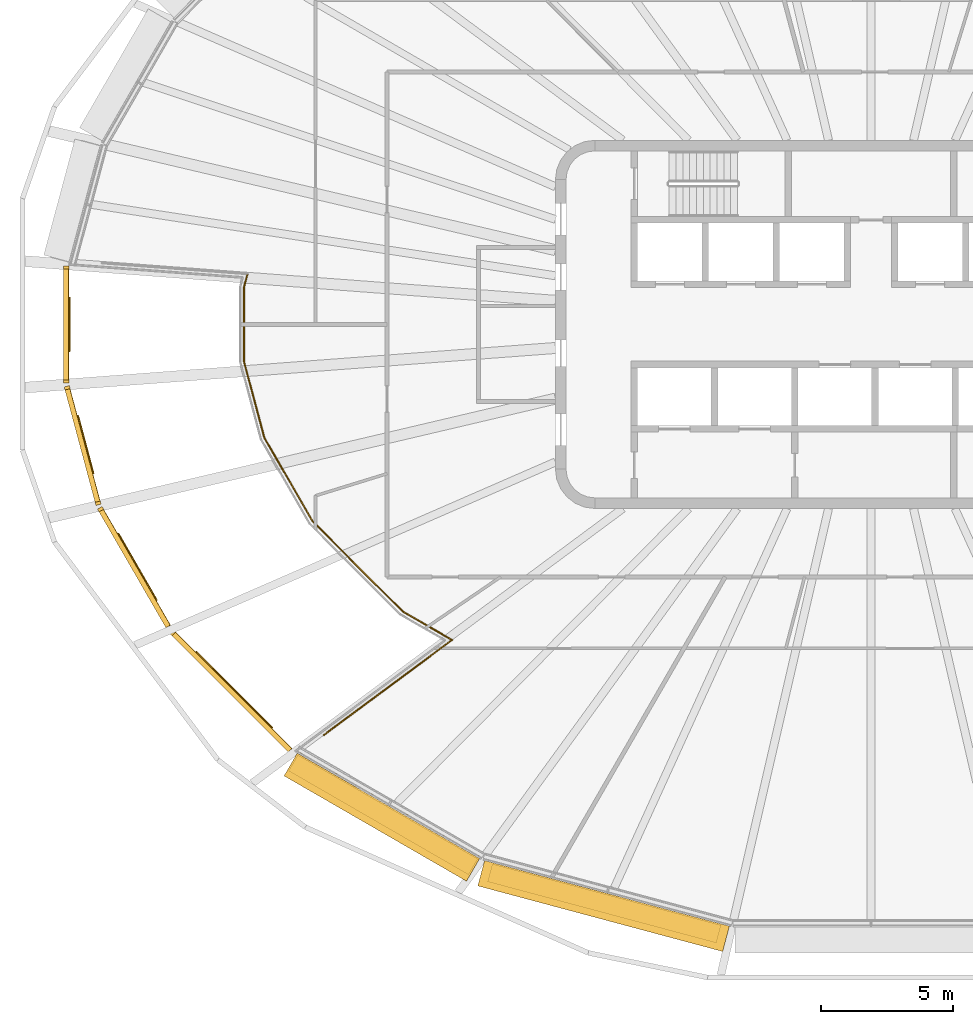
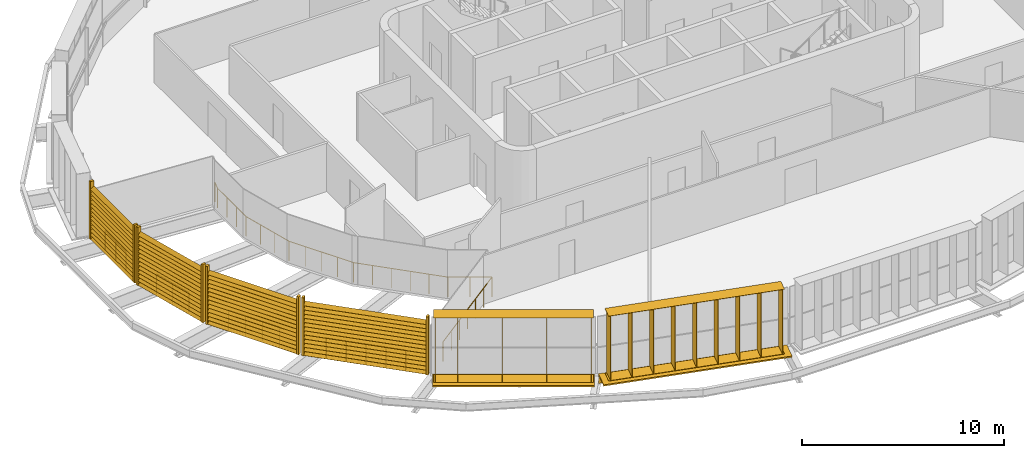
# One storey, part 15 of 19: 8 shading devices, 5 railings.
"""IFC4 building model written with IfcOpenShell, lengths in metres."""

from ifc_helpers import new_model, si_unit, direction, frame, origin, origin_2d, place, context, subcontext, project, spatial, rectangle, circle, extrude, material, type_object, element, save


model = new_model("IFC4")

# Units and contexts
model_context = context("Model", 3, precision=1e-05, world=origin(), true_north=direction((0.0, 1.0)))
body_context = subcontext(model_context, "Body", "Model", "MODEL_VIEW")
ifc_project = project(units=[si_unit("LENGTHUNIT", "METRE"), si_unit("AREAUNIT", "SQUARE_METRE"), si_unit("VOLUMEUNIT", "CUBIC_METRE"), si_unit("PLANEANGLEUNIT", "RADIAN"), si_unit("MASSUNIT", "GRAM", prefix="KILO")], contexts=[model_context])

# Site, building, storey
site_placement = place(None, origin())
site = spatial("IfcSite", under=ifc_project, at=site_placement, CompositionType="ELEMENT")
building_placement = place(site_placement, origin())
building = spatial("IfcBuilding", under=site, at=building_placement, Name="Sahrelin Media Tower", CompositionType="ELEMENT")
storey_placement = place(building_placement, frame((0.0, 0.0, 229.60009765625)))
storey = spatial("IfcBuildingStorey", under=building, at=storey_placement, Name="L49", CompositionType="ELEMENT", Elevation=229.60009765625)

# Shading devices
ifc_material_1 = material(Name="Champagne anodised aluminium 6063-T6", Category="aluminium")
shading_device_type_1 = type_object("IfcShadingDeviceType", Name="Fin cassette", PredefinedType="USERDEFINED", material=ifc_material_1)
placement_1 = place(storey_placement, frame((-18.337646484375, -18.28564453125, 0.0), z_axis=(0.0, 0.0, 1.0), x_axis=(-0.866019052629, 0.500011000363, 0.0)))
element("IfcShadingDevice", 1, at=placement_1, inside=storey, type_object=shading_device_type_1, Name="L49:FIN:L49-16", ObjectType="FIN", PredefinedType="USERDEFINED", context=body_context, shape_type="SweptSolid", body=[
    extrude(rectangle(XDim=7.89990234375, YDim=0.699951171875, at=origin_2d()), frame((0.0, 0.419921875, 0.0)), (0.0, 0.0, 1.0), 0.02001953125),
    extrude(rectangle(XDim=7.89990234375, YDim=0.699951171875, at=origin_2d()), frame((0.0, 0.419921875, 3.89990234375)), (0.0, 0.0, 1.0), 0.02001953125),
    extrude(rectangle(XDim=0.02001953125, YDim=0.699951171875, at=origin_2d()), frame((-3.85009765625, 0.419921875, 0.010009765625), z_axis=(0.0, 0.0, 1.0), x_axis=(1.0, 0.0, 0.0)), (0.0, 0.0, 1.0), 3.89990234375),
    extrude(rectangle(XDim=0.02001953125, YDim=0.699951171875, at=origin_2d()), frame((-2.75, 0.419921875, 0.010009765625), z_axis=(0.0, 0.0, 1.0), x_axis=(1.0, 0.0, 0.0)), (0.0, 0.0, 1.0), 3.89990234375),
    extrude(rectangle(XDim=0.02001953125, YDim=0.699951171875, at=origin_2d()), frame((-1.64990234375, 0.419921875, 0.010009765625), z_axis=(0.0, 0.0, 1.0), x_axis=(1.0, 0.0, 0.0)), (0.0, 0.0, 1.0), 3.89990234375),
    extrude(rectangle(XDim=0.02001953125, YDim=0.699951171875, at=origin_2d()), frame((-0.550048828125, 0.419921875, 0.010009765625), z_axis=(0.0, 0.0, 1.0), x_axis=(1.0, 0.0, 0.0)), (0.0, 0.0, 1.0), 3.89990234375),
    extrude(rectangle(XDim=0.02001953125, YDim=0.699951171875, at=origin_2d()), frame((0.550048828125, 0.419921875, 0.010009765625), z_axis=(0.0, 0.0, 1.0), x_axis=(1.0, 0.0, 0.0)), (0.0, 0.0, 1.0), 3.89990234375),
    extrude(rectangle(XDim=0.02001953125, YDim=0.699951171875, at=origin_2d()), frame((1.64990234375, 0.419921875, 0.010009765625), z_axis=(0.0, 0.0, 1.0), x_axis=(1.0, 0.0, 0.0)), (0.0, 0.0, 1.0), 3.89990234375),
    extrude(rectangle(XDim=0.02001953125, YDim=0.699951171875, at=origin_2d()), frame((2.75, 0.419921875, 0.010009765625), z_axis=(0.0, 0.0, 1.0), x_axis=(1.0, 0.0, 0.0)), (0.0, 0.0, 1.0), 3.89990234375),
    extrude(rectangle(XDim=0.02001953125, YDim=0.699951171875, at=origin_2d()), frame((3.85009765625, 0.419921875, 0.010009765625), z_axis=(0.0, 0.0, 1.0), x_axis=(1.0, 0.0, 0.0)), (0.0, 0.0, 1.0), 3.89990234375),
])
placement_2 = place(storey_placement, frame((-10.031982421875, -21.61083984375, 0.0), z_axis=(0.0, 0.0, 1.0), x_axis=(-0.965928857556, 0.258807731996, 0.0)))
element("IfcShadingDevice", 2, at=placement_2, inside=storey, type_object=shading_device_type_1, Name="L49:FIN:L49-17", ObjectType="FIN", PredefinedType="USERDEFINED", context=body_context, shape_type="SweptSolid", body=[
    extrude(rectangle(XDim=9.0, YDim=0.699951171875, at=origin_2d()), frame((0.0, 0.419921875, 0.0)), (0.0, 0.0, 1.0), 0.02001953125),
    extrude(rectangle(XDim=9.0, YDim=0.699951171875, at=origin_2d()), frame((0.0, 0.419921875, 3.89990234375)), (0.0, 0.0, 1.0), 0.02001953125),
    extrude(rectangle(XDim=0.02001953125, YDim=0.699951171875, at=origin_2d()), frame((-4.39990234375, 0.419921875, 0.010009765625), z_axis=(0.0, 0.0, 1.0), x_axis=(1.0, 0.0, 0.0)), (0.0, 0.0, 1.0), 3.89990234375),
    extrude(rectangle(XDim=0.02001953125, YDim=0.699951171875, at=origin_2d()), frame((-3.300048828125, 0.419921875, 0.010009765625), z_axis=(0.0, 0.0, 1.0), x_axis=(1.0, 0.0, 0.0)), (0.0, 0.0, 1.0), 3.89990234375),
    extrude(rectangle(XDim=0.02001953125, YDim=0.699951171875, at=origin_2d()), frame((-2.199951171875, 0.419921875, 0.010009765625), z_axis=(0.0, 0.0, 1.0), x_axis=(1.0, 0.0, 0.0)), (0.0, 0.0, 1.0), 3.89990234375),
    extrude(rectangle(XDim=0.02001953125, YDim=0.699951171875, at=origin_2d()), frame((-1.10009765625, 0.419921875, 0.010009765625), z_axis=(0.0, 0.0, 1.0), x_axis=(1.0, 0.0, 0.0)), (0.0, 0.0, 1.0), 3.89990234375),
    extrude(rectangle(XDim=0.02001953125, YDim=0.699951171875, at=origin_2d()), frame((0.0, 0.419921875, 0.010009765625), z_axis=(0.0, 0.0, 1.0), x_axis=(1.0, 0.0, 0.0)), (0.0, 0.0, 1.0), 3.89990234375),
    extrude(rectangle(XDim=0.02001953125, YDim=0.699951171875, at=origin_2d()), frame((1.10009765625, 0.419921875, 0.010009765625), z_axis=(0.0, 0.0, 1.0), x_axis=(1.0, 0.0, 0.0)), (0.0, 0.0, 1.0), 3.89990234375),
    extrude(rectangle(XDim=0.02001953125, YDim=0.699951171875, at=origin_2d()), frame((2.199951171875, 0.419921875, 0.010009765625), z_axis=(0.0, 0.0, 1.0), x_axis=(1.0, 0.0, 0.0)), (0.0, 0.0, 1.0), 3.89990234375),
    extrude(rectangle(XDim=0.02001953125, YDim=0.699951171875, at=origin_2d()), frame((3.300048828125, 0.419921875, 0.010009765625), z_axis=(0.0, 0.0, 1.0), x_axis=(1.0, 0.0, 0.0)), (0.0, 0.0, 1.0), 3.89990234375),
    extrude(rectangle(XDim=0.02001953125, YDim=0.699951171875, at=origin_2d()), frame((4.39990234375, 0.419921875, 0.010009765625), z_axis=(0.0, 0.0, 1.0), x_axis=(1.0, 0.0, 0.0)), (0.0, 0.0, 1.0), 3.89990234375),
])
shading_device_type_2 = type_object("IfcShadingDeviceType", Name="Garden screen", PredefinedType="USERDEFINED", material=ifc_material_1)
shading_device_3_placement = place(storey_placement, frame((-30.494140625, 0.0, 0.0), z_axis=(0.0, 0.0, 1.0), x_axis=(0.0, 1.0, 0.0)))
element("IfcShadingDevice", 3, at=shading_device_3_placement, inside=storey, type_object=shading_device_type_2, Name="L49:SCREEN:L49-12", ObjectType="SCREEN", PredefinedType="USERDEFINED", context=body_context, shape_type="SweptSolid", body=[
    extrude(rectangle(XDim=0.1201171875, YDim=0.199951171875, at=origin_2d()), frame((2.16796875, 0.10009765625, 0.050048828125), z_axis=(0.0, 0.0, 1.0), x_axis=(1.0, 0.0, 0.0)), (0.0, 0.0, 1.0), 3.49853515625),
    extrude(rectangle(XDim=0.1201171875, YDim=0.199951171875, at=origin_2d()), frame((-2.16796875, 0.10009765625, 0.050048828125), z_axis=(0.0, 0.0, 1.0), x_axis=(1.0, 0.0, 0.0)), (0.0, 0.0, 1.0), 3.49853515625),
    extrude(rectangle(XDim=0.25, YDim=0.02001953125, at=origin_2d()), frame((2.10791015625, 0.10009765625, 0.14990234375), z_axis=(-1.0, 0.0, 0.0), x_axis=(0.0, -0.766044443119, 0.642787609687)), (0.0, 0.0, 1.0), 4.2158203125),
    extrude(rectangle(XDim=0.25, YDim=0.02001953125, at=origin_2d()), frame((2.10791015625, 0.10009765625, 0.39990234375), z_axis=(-1.0, 0.0, 0.0), x_axis=(0.0, -0.766044443119, 0.642787609687)), (0.0, 0.0, 1.0), 4.2158203125),
    extrude(rectangle(XDim=0.25, YDim=0.02001953125, at=origin_2d()), frame((2.10791015625, 0.10009765625, 0.64990234375), z_axis=(-1.0, 0.0, 0.0), x_axis=(0.0, -0.766044443119, 0.642787609687)), (0.0, 0.0, 1.0), 4.2158203125),
    extrude(rectangle(XDim=0.25, YDim=0.02001953125, at=origin_2d()), frame((2.10791015625, 0.10009765625, 0.89990234375), z_axis=(-1.0, 0.0, 0.0), x_axis=(0.0, -0.766044443119, 0.642787609687)), (0.0, 0.0, 1.0), 4.2158203125),
    extrude(rectangle(XDim=0.25, YDim=0.02001953125, at=origin_2d()), frame((2.10791015625, 0.10009765625, 1.14990234375), z_axis=(-1.0, 0.0, 0.0), x_axis=(0.0, -0.766044443119, 0.642787609687)), (0.0, 0.0, 1.0), 4.2158203125),
    extrude(rectangle(XDim=0.25, YDim=0.02001953125, at=origin_2d()), frame((2.10791015625, 0.10009765625, 1.39990234375), z_axis=(-1.0, 0.0, 0.0), x_axis=(0.0, -0.766044443119, 0.642787609687)), (0.0, 0.0, 1.0), 4.2158203125),
    extrude(rectangle(XDim=0.25, YDim=0.02001953125, at=origin_2d()), frame((2.10791015625, 0.10009765625, 1.64990234375), z_axis=(-1.0, 0.0, 0.0), x_axis=(0.0, -0.766044443119, 0.642787609687)), (0.0, 0.0, 1.0), 4.2158203125),
    extrude(rectangle(XDim=0.25, YDim=0.02001953125, at=origin_2d()), frame((2.10791015625, 0.10009765625, 1.89990234375), z_axis=(-1.0, 0.0, 0.0), x_axis=(0.0, -0.766044443119, 0.642787609687)), (0.0, 0.0, 1.0), 4.2158203125),
    extrude(rectangle(XDim=0.25, YDim=0.02001953125, at=origin_2d()), frame((2.10791015625, 0.10009765625, 2.14990234375), z_axis=(-1.0, 0.0, 0.0), x_axis=(0.0, -0.766044443119, 0.642787609687)), (0.0, 0.0, 1.0), 4.2158203125),
    extrude(rectangle(XDim=0.25, YDim=0.02001953125, at=origin_2d()), frame((2.10791015625, 0.10009765625, 2.39990234375), z_axis=(-1.0, 0.0, 0.0), x_axis=(0.0, -0.766044443119, 0.642787609687)), (0.0, 0.0, 1.0), 4.2158203125),
    extrude(rectangle(XDim=0.25, YDim=0.02001953125, at=origin_2d()), frame((2.10791015625, 0.10009765625, 2.64990234375), z_axis=(-1.0, 0.0, 0.0), x_axis=(0.0, -0.766044443119, 0.642787609687)), (0.0, 0.0, 1.0), 4.2158203125),
    extrude(rectangle(XDim=0.25, YDim=0.02001953125, at=origin_2d()), frame((2.10791015625, 0.10009765625, 2.89990234375), z_axis=(-1.0, 0.0, 0.0), x_axis=(0.0, -0.766044443119, 0.642787609687)), (0.0, 0.0, 1.0), 4.2158203125),
    extrude(rectangle(XDim=0.25, YDim=0.02001953125, at=origin_2d()), frame((2.10791015625, 0.10009765625, 3.14990234375), z_axis=(-1.0, 0.0, 0.0), x_axis=(0.0, -0.766044443119, 0.642787609687)), (0.0, 0.0, 1.0), 4.2158203125),
])
shading_device_4_placement = place(storey_placement, frame((-29.87744140625, -4.5791015625, 0.0), z_axis=(0.0, 0.0, 1.0), x_axis=(-0.258807731996, 0.965928857556, 0.0)))
element("IfcShadingDevice", 4, at=shading_device_4_placement, inside=storey, type_object=shading_device_type_2, Name="L49:SCREEN:L49-13", ObjectType="SCREEN", PredefinedType="USERDEFINED", context=body_context, shape_type="SweptSolid", body=[
    extrude(rectangle(XDim=0.1201171875, YDim=0.199951171875, at=origin_2d()), frame((2.2724609375, 0.10009765625, 0.050048828125), z_axis=(0.0, 0.0, 1.0), x_axis=(1.0, 0.0, 0.0)), (0.0, 0.0, 1.0), 3.49853515625),
    extrude(rectangle(XDim=0.1201171875, YDim=0.199951171875, at=origin_2d()), frame((-2.2724609375, 0.10009765625, 0.050048828125), z_axis=(0.0, 0.0, 1.0), x_axis=(1.0, 0.0, 0.0)), (0.0, 0.0, 1.0), 3.49853515625),
    extrude(rectangle(XDim=0.25, YDim=0.02001953125, at=origin_2d()), frame((2.21240234375, 0.10009765625, 0.14990234375), z_axis=(-1.0, 0.0, 0.0), x_axis=(0.0, -0.766044443119, 0.642787609687)), (0.0, 0.0, 1.0), 4.4248046875),
    extrude(rectangle(XDim=0.25, YDim=0.02001953125, at=origin_2d()), frame((2.21240234375, 0.10009765625, 0.39990234375), z_axis=(-1.0, 0.0, 0.0), x_axis=(0.0, -0.766044443119, 0.642787609687)), (0.0, 0.0, 1.0), 4.4248046875),
    extrude(rectangle(XDim=0.25, YDim=0.02001953125, at=origin_2d()), frame((2.21240234375, 0.10009765625, 0.64990234375), z_axis=(-1.0, 0.0, 0.0), x_axis=(0.0, -0.766044443119, 0.642787609687)), (0.0, 0.0, 1.0), 4.4248046875),
    extrude(rectangle(XDim=0.25, YDim=0.02001953125, at=origin_2d()), frame((2.21240234375, 0.10009765625, 0.89990234375), z_axis=(-1.0, 0.0, 0.0), x_axis=(0.0, -0.766044443119, 0.642787609687)), (0.0, 0.0, 1.0), 4.4248046875),
    extrude(rectangle(XDim=0.25, YDim=0.02001953125, at=origin_2d()), frame((2.21240234375, 0.10009765625, 1.14990234375), z_axis=(-1.0, 0.0, 0.0), x_axis=(0.0, -0.766044443119, 0.642787609687)), (0.0, 0.0, 1.0), 4.4248046875),
    extrude(rectangle(XDim=0.25, YDim=0.02001953125, at=origin_2d()), frame((2.21240234375, 0.10009765625, 1.39990234375), z_axis=(-1.0, 0.0, 0.0), x_axis=(0.0, -0.766044443119, 0.642787609687)), (0.0, 0.0, 1.0), 4.4248046875),
    extrude(rectangle(XDim=0.25, YDim=0.02001953125, at=origin_2d()), frame((2.21240234375, 0.10009765625, 1.64990234375), z_axis=(-1.0, 0.0, 0.0), x_axis=(0.0, -0.766044443119, 0.642787609687)), (0.0, 0.0, 1.0), 4.4248046875),
    extrude(rectangle(XDim=0.25, YDim=0.02001953125, at=origin_2d()), frame((2.21240234375, 0.10009765625, 1.89990234375), z_axis=(-1.0, 0.0, 0.0), x_axis=(0.0, -0.766044443119, 0.642787609687)), (0.0, 0.0, 1.0), 4.4248046875),
    extrude(rectangle(XDim=0.25, YDim=0.02001953125, at=origin_2d()), frame((2.21240234375, 0.10009765625, 2.14990234375), z_axis=(-1.0, 0.0, 0.0), x_axis=(0.0, -0.766044443119, 0.642787609687)), (0.0, 0.0, 1.0), 4.4248046875),
    extrude(rectangle(XDim=0.25, YDim=0.02001953125, at=origin_2d()), frame((2.21240234375, 0.10009765625, 2.39990234375), z_axis=(-1.0, 0.0, 0.0), x_axis=(0.0, -0.766044443119, 0.642787609687)), (0.0, 0.0, 1.0), 4.4248046875),
    extrude(rectangle(XDim=0.25, YDim=0.02001953125, at=origin_2d()), frame((2.21240234375, 0.10009765625, 2.64990234375), z_axis=(-1.0, 0.0, 0.0), x_axis=(0.0, -0.766044443119, 0.642787609687)), (0.0, 0.0, 1.0), 4.4248046875),
    extrude(rectangle(XDim=0.25, YDim=0.02001953125, at=origin_2d()), frame((2.21240234375, 0.10009765625, 2.89990234375), z_axis=(-1.0, 0.0, 0.0), x_axis=(0.0, -0.766044443119, 0.642787609687)), (0.0, 0.0, 1.0), 4.4248046875),
    extrude(rectangle(XDim=0.25, YDim=0.02001953125, at=origin_2d()), frame((2.21240234375, 0.10009765625, 3.14990234375), z_axis=(-1.0, 0.0, 0.0), x_axis=(0.0, -0.766044443119, 0.642787609687)), (0.0, 0.0, 1.0), 4.4248046875),
])
shading_device_5_placement = place(storey_placement, frame((-27.905517578125, -9.22802734375, 0.0), z_axis=(0.0, 0.0, 1.0), x_axis=(-0.500011000363, 0.866019052629, 0.0)))
element("IfcShadingDevice", 5, at=shading_device_5_placement, inside=storey, type_object=shading_device_type_2, Name="L49:SCREEN:L49-14", ObjectType="SCREEN", PredefinedType="USERDEFINED", context=body_context, shape_type="SweptSolid", body=[
    extrude(rectangle(XDim=0.1201171875, YDim=0.199951171875, at=origin_2d()), frame((2.600830078125, 0.10009765625, 0.050048828125), z_axis=(0.0, 0.0, 1.0), x_axis=(1.0, 0.0, 0.0)), (0.0, 0.0, 1.0), 3.49853515625),
    extrude(rectangle(XDim=0.1201171875, YDim=0.199951171875, at=origin_2d()), frame((-2.600830078125, 0.10009765625, 0.050048828125), z_axis=(0.0, 0.0, 1.0), x_axis=(1.0, 0.0, 0.0)), (0.0, 0.0, 1.0), 3.49853515625),
    extrude(rectangle(XDim=0.25, YDim=0.02001953125, at=origin_2d()), frame((2.540771484375, 0.10009765625, 0.14990234375), z_axis=(-1.0, 0.0, 0.0), x_axis=(0.0, -0.766044443119, 0.642787609687)), (0.0, 0.0, 1.0), 5.08154296875),
    extrude(rectangle(XDim=0.25, YDim=0.02001953125, at=origin_2d()), frame((2.540771484375, 0.10009765625, 0.39990234375), z_axis=(-1.0, 0.0, 0.0), x_axis=(0.0, -0.766044443119, 0.642787609687)), (0.0, 0.0, 1.0), 5.08154296875),
    extrude(rectangle(XDim=0.25, YDim=0.02001953125, at=origin_2d()), frame((2.540771484375, 0.10009765625, 0.64990234375), z_axis=(-1.0, 0.0, 0.0), x_axis=(0.0, -0.766044443119, 0.642787609687)), (0.0, 0.0, 1.0), 5.08154296875),
    extrude(rectangle(XDim=0.25, YDim=0.02001953125, at=origin_2d()), frame((2.540771484375, 0.10009765625, 0.89990234375), z_axis=(-1.0, 0.0, 0.0), x_axis=(0.0, -0.766044443119, 0.642787609687)), (0.0, 0.0, 1.0), 5.08154296875),
    extrude(rectangle(XDim=0.25, YDim=0.02001953125, at=origin_2d()), frame((2.540771484375, 0.10009765625, 1.14990234375), z_axis=(-1.0, 0.0, 0.0), x_axis=(0.0, -0.766044443119, 0.642787609687)), (0.0, 0.0, 1.0), 5.08154296875),
    extrude(rectangle(XDim=0.25, YDim=0.02001953125, at=origin_2d()), frame((2.540771484375, 0.10009765625, 1.39990234375), z_axis=(-1.0, 0.0, 0.0), x_axis=(0.0, -0.766044443119, 0.642787609687)), (0.0, 0.0, 1.0), 5.08154296875),
    extrude(rectangle(XDim=0.25, YDim=0.02001953125, at=origin_2d()), frame((2.540771484375, 0.10009765625, 1.64990234375), z_axis=(-1.0, 0.0, 0.0), x_axis=(0.0, -0.766044443119, 0.642787609687)), (0.0, 0.0, 1.0), 5.08154296875),
    extrude(rectangle(XDim=0.25, YDim=0.02001953125, at=origin_2d()), frame((2.540771484375, 0.10009765625, 1.89990234375), z_axis=(-1.0, 0.0, 0.0), x_axis=(0.0, -0.766044443119, 0.642787609687)), (0.0, 0.0, 1.0), 5.08154296875),
    extrude(rectangle(XDim=0.25, YDim=0.02001953125, at=origin_2d()), frame((2.540771484375, 0.10009765625, 2.14990234375), z_axis=(-1.0, 0.0, 0.0), x_axis=(0.0, -0.766044443119, 0.642787609687)), (0.0, 0.0, 1.0), 5.08154296875),
    extrude(rectangle(XDim=0.25, YDim=0.02001953125, at=origin_2d()), frame((2.540771484375, 0.10009765625, 2.39990234375), z_axis=(-1.0, 0.0, 0.0), x_axis=(0.0, -0.766044443119, 0.642787609687)), (0.0, 0.0, 1.0), 5.08154296875),
    extrude(rectangle(XDim=0.25, YDim=0.02001953125, at=origin_2d()), frame((2.540771484375, 0.10009765625, 2.64990234375), z_axis=(-1.0, 0.0, 0.0), x_axis=(0.0, -0.766044443119, 0.642787609687)), (0.0, 0.0, 1.0), 5.08154296875),
    extrude(rectangle(XDim=0.25, YDim=0.02001953125, at=origin_2d()), frame((2.540771484375, 0.10009765625, 2.89990234375), z_axis=(-1.0, 0.0, 0.0), x_axis=(0.0, -0.766044443119, 0.642787609687)), (0.0, 0.0, 1.0), 5.08154296875),
    extrude(rectangle(XDim=0.25, YDim=0.02001953125, at=origin_2d()), frame((2.540771484375, 0.10009765625, 3.14990234375), z_axis=(-1.0, 0.0, 0.0), x_axis=(0.0, -0.766044443119, 0.642787609687)), (0.0, 0.0, 1.0), 5.08154296875),
])
shading_device_6_placement = place(storey_placement, frame((-24.22119140625, -13.904296875, 0.0), z_axis=(0.0, 0.0, 1.0), x_axis=(-0.707106781187, 0.707106781187, 0.0)))
element("IfcShadingDevice", 6, at=shading_device_6_placement, inside=storey, type_object=shading_device_type_2, Name="L49:SCREEN:L49-15", ObjectType="SCREEN", PredefinedType="USERDEFINED", context=body_context, shape_type="SweptSolid", body=[
    extrude(rectangle(XDim=0.1201171875, YDim=0.199951171875, at=origin_2d()), frame((3.183349609375, 0.10009765625, 0.050048828125), z_axis=(0.0, 0.0, 1.0), x_axis=(1.0, 0.0, 0.0)), (0.0, 0.0, 1.0), 3.49853515625),
    extrude(rectangle(XDim=0.1201171875, YDim=0.199951171875, at=origin_2d()), frame((-3.183349609375, 0.10009765625, 0.050048828125), z_axis=(0.0, 0.0, 1.0), x_axis=(1.0, 0.0, 0.0)), (0.0, 0.0, 1.0), 3.49853515625),
    extrude(rectangle(XDim=0.25, YDim=0.02001953125, at=origin_2d()), frame((3.123291015625, 0.10009765625, 0.14990234375), z_axis=(-1.0, 0.0, 0.0), x_axis=(0.0, -0.766044443119, 0.642787609687)), (0.0, 0.0, 1.0), 6.24658203125),
    extrude(rectangle(XDim=0.25, YDim=0.02001953125, at=origin_2d()), frame((3.123291015625, 0.10009765625, 0.39990234375), z_axis=(-1.0, 0.0, 0.0), x_axis=(0.0, -0.766044443119, 0.642787609687)), (0.0, 0.0, 1.0), 6.24658203125),
    extrude(rectangle(XDim=0.25, YDim=0.02001953125, at=origin_2d()), frame((3.123291015625, 0.10009765625, 0.64990234375), z_axis=(-1.0, 0.0, 0.0), x_axis=(0.0, -0.766044443119, 0.642787609687)), (0.0, 0.0, 1.0), 6.24658203125),
    extrude(rectangle(XDim=0.25, YDim=0.02001953125, at=origin_2d()), frame((3.123291015625, 0.10009765625, 0.89990234375), z_axis=(-1.0, 0.0, 0.0), x_axis=(0.0, -0.766044443119, 0.642787609687)), (0.0, 0.0, 1.0), 6.24658203125),
    extrude(rectangle(XDim=0.25, YDim=0.02001953125, at=origin_2d()), frame((3.123291015625, 0.10009765625, 1.14990234375), z_axis=(-1.0, 0.0, 0.0), x_axis=(0.0, -0.766044443119, 0.642787609687)), (0.0, 0.0, 1.0), 6.24658203125),
    extrude(rectangle(XDim=0.25, YDim=0.02001953125, at=origin_2d()), frame((3.123291015625, 0.10009765625, 1.39990234375), z_axis=(-1.0, 0.0, 0.0), x_axis=(0.0, -0.766044443119, 0.642787609687)), (0.0, 0.0, 1.0), 6.24658203125),
    extrude(rectangle(XDim=0.25, YDim=0.02001953125, at=origin_2d()), frame((3.123291015625, 0.10009765625, 1.64990234375), z_axis=(-1.0, 0.0, 0.0), x_axis=(0.0, -0.766044443119, 0.642787609687)), (0.0, 0.0, 1.0), 6.24658203125),
    extrude(rectangle(XDim=0.25, YDim=0.02001953125, at=origin_2d()), frame((3.123291015625, 0.10009765625, 1.89990234375), z_axis=(-1.0, 0.0, 0.0), x_axis=(0.0, -0.766044443119, 0.642787609687)), (0.0, 0.0, 1.0), 6.24658203125),
    extrude(rectangle(XDim=0.25, YDim=0.02001953125, at=origin_2d()), frame((3.123291015625, 0.10009765625, 2.14990234375), z_axis=(-1.0, 0.0, 0.0), x_axis=(0.0, -0.766044443119, 0.642787609687)), (0.0, 0.0, 1.0), 6.24658203125),
    extrude(rectangle(XDim=0.25, YDim=0.02001953125, at=origin_2d()), frame((3.123291015625, 0.10009765625, 2.39990234375), z_axis=(-1.0, 0.0, 0.0), x_axis=(0.0, -0.766044443119, 0.642787609687)), (0.0, 0.0, 1.0), 6.24658203125),
    extrude(rectangle(XDim=0.25, YDim=0.02001953125, at=origin_2d()), frame((3.123291015625, 0.10009765625, 2.64990234375), z_axis=(-1.0, 0.0, 0.0), x_axis=(0.0, -0.766044443119, 0.642787609687)), (0.0, 0.0, 1.0), 6.24658203125),
    extrude(rectangle(XDim=0.25, YDim=0.02001953125, at=origin_2d()), frame((3.123291015625, 0.10009765625, 2.89990234375), z_axis=(-1.0, 0.0, 0.0), x_axis=(0.0, -0.766044443119, 0.642787609687)), (0.0, 0.0, 1.0), 6.24658203125),
    extrude(rectangle(XDim=0.25, YDim=0.02001953125, at=origin_2d()), frame((3.123291015625, 0.10009765625, 3.14990234375), z_axis=(-1.0, 0.0, 0.0), x_axis=(0.0, -0.766044443119, 0.642787609687)), (0.0, 0.0, 1.0), 6.24658203125),
])

# Railings
ifc_material_2 = material(Name="Stainless steel 316", Category="steel")
railing_type = type_object("IfcRailingType", Name="Sky garden guard", PredefinedType="GUARDRAIL", material=ifc_material_2)
railing_1_placement = place(storey_placement, frame((-23.705078125, 1.921142578125, 0.0)))
element("IfcRailing", 7, at=railing_1_placement, inside=storey, type_object=railing_type, Name="Sky garden void guard G4-1", PredefinedType="GUARDRAIL", context=body_context, shape_type="SweptSolid", body=[
    extrude(circle(Radius=0.02392578125, at=origin_2d()), frame((0.0, 0.0, 1.17578125), z_axis=(-0.258766394341, -0.96593993248, 0.0), x_axis=(0.96593993248, -0.258766394341, 0.0)), (0.0, 0.0, 1.0), 0.536865234375),
    extrude(circle(Radius=0.02392578125, at=origin_2d()), frame((-0.138916015625, -0.5185546875, 1.17578125), z_axis=(0.0, -1.0, 0.0), x_axis=(1.0, 0.0, 0.0)), (0.0, 0.0, 1.0), 2.80517578125),
    extrude(circle(Radius=0.02392578125, at=origin_2d()), frame((-0.138916015625, -3.32373046875, 1.17578125), z_axis=(0.258761732232, -0.965941181404, 0.0), x_axis=(0.965941181404, 0.258761732232, 0.0)), (0.0, 0.0, 1.0), 3.013427734375),
    extrude(circle(Radius=0.02392578125, at=origin_2d()), frame((0.640869140625, -6.234619140625, 1.17578125), z_axis=(0.50001606911, -0.866016126081, 0.0), x_axis=(0.866016126081, 0.50001606911, 0.0)), (0.0, 0.0, 1.0), 3.6708984375),
    extrude(circle(Radius=0.02392578125, at=origin_2d()), frame((2.476318359375, -9.41357421875, 1.17578125), z_axis=(0.707106781187, -0.707106781187, 0.0), x_axis=(0.707106781187, 0.707106781187, 0.0)), (0.0, 0.0, 1.0), 4.835693359375),
    extrude(circle(Radius=0.02392578125, at=origin_2d()), frame((5.895751953125, -12.8330078125, 1.17578125), z_axis=(0.86599274334, -0.500056565283, 0.0), x_axis=(0.500056565283, 0.86599274334, 0.0)), (0.0, 0.0, 1.0), 2.171630859375),
    extrude(circle(Radius=0.02392578125, at=origin_2d()), frame((7.7763671875, -13.9189453125, 1.17578125), z_axis=(-0.803271279064, -0.595613341213, 0.0), x_axis=(0.595613341213, -0.803271279064, 0.0)), (0.0, 0.0, 1.0), 6.067626953125),
    extrude(circle(Radius=0.02099609375, at=origin_2d()), origin(), (0.0, 0.0, 1.0), 1.15185546875),
    extrude(circle(Radius=0.02099609375, at=origin_2d()), frame((-0.138916015625, -0.5185546875, 0.0)), (0.0, 0.0, 1.0), 1.15185546875),
    extrude(circle(Radius=0.02099609375, at=origin_2d()), frame((-0.138916015625, -1.45361328125, 0.0)), (0.0, 0.0, 1.0), 1.15185546875),
    extrude(circle(Radius=0.02099609375, at=origin_2d()), frame((-0.138916015625, -2.388671875, 0.0)), (0.0, 0.0, 1.0), 1.15185546875),
    extrude(circle(Radius=0.02099609375, at=origin_2d()), frame((-0.138916015625, -3.32373046875, 0.0)), (0.0, 0.0, 1.0), 1.15185546875),
    extrude(circle(Radius=0.02099609375, at=origin_2d()), frame((0.12109375, -4.2939453125, 0.0)), (0.0, 0.0, 1.0), 1.15185546875),
    extrude(circle(Radius=0.02099609375, at=origin_2d()), frame((0.380859375, -5.264404296875, 0.0)), (0.0, 0.0, 1.0), 1.15185546875),
    extrude(circle(Radius=0.02099609375, at=origin_2d()), frame((0.640869140625, -6.234619140625, 0.0)), (0.0, 0.0, 1.0), 1.15185546875),
    extrude(circle(Radius=0.02099609375, at=origin_2d()), frame((1.099609375, -7.029296875, 0.0)), (0.0, 0.0, 1.0), 1.15185546875),
    extrude(circle(Radius=0.02099609375, at=origin_2d()), frame((1.55859375, -7.82421875, 0.0)), (0.0, 0.0, 1.0), 1.15185546875),
    extrude(circle(Radius=0.02099609375, at=origin_2d()), frame((2.017578125, -8.618896484375, 0.0)), (0.0, 0.0, 1.0), 1.15185546875),
    extrude(circle(Radius=0.02099609375, at=origin_2d()), frame((2.476318359375, -9.41357421875, 0.0)), (0.0, 0.0, 1.0), 1.15185546875),
    extrude(circle(Radius=0.02099609375, at=origin_2d()), frame((3.16015625, -10.097412109375, 0.0)), (0.0, 0.0, 1.0), 1.15185546875),
    extrude(circle(Radius=0.02099609375, at=origin_2d()), frame((3.843994140625, -10.78125, 0.0)), (0.0, 0.0, 1.0), 1.15185546875),
    extrude(circle(Radius=0.02099609375, at=origin_2d()), frame((4.528076171875, -11.46533203125, 0.0)), (0.0, 0.0, 1.0), 1.15185546875),
    extrude(circle(Radius=0.02099609375, at=origin_2d()), frame((5.2119140625, -12.149169921875, 0.0)), (0.0, 0.0, 1.0), 1.15185546875),
    extrude(circle(Radius=0.02099609375, at=origin_2d()), frame((5.895751953125, -12.8330078125, 0.0)), (0.0, 0.0, 1.0), 1.15185546875),
    extrude(circle(Radius=0.02099609375, at=origin_2d()), frame((6.8359375, -13.3759765625, 0.0)), (0.0, 0.0, 1.0), 1.15185546875),
    extrude(circle(Radius=0.02099609375, at=origin_2d()), frame((7.7763671875, -13.9189453125, 0.0)), (0.0, 0.0, 1.0), 1.15185546875),
    extrude(circle(Radius=0.02099609375, at=origin_2d()), frame((6.964111328125, -14.521240234375, 0.0)), (0.0, 0.0, 1.0), 1.15185546875),
    extrude(circle(Radius=0.02099609375, at=origin_2d()), frame((6.151611328125, -15.12353515625, 0.0)), (0.0, 0.0, 1.0), 1.15185546875),
    extrude(circle(Radius=0.02099609375, at=origin_2d()), frame((5.33935546875, -15.72607421875, 0.0)), (0.0, 0.0, 1.0), 1.15185546875),
    extrude(circle(Radius=0.02099609375, at=origin_2d()), frame((4.527099609375, -16.328369140625, 0.0)), (0.0, 0.0, 1.0), 1.15185546875),
    extrude(circle(Radius=0.02099609375, at=origin_2d()), frame((3.714599609375, -16.9306640625, 0.0)), (0.0, 0.0, 1.0), 1.15185546875),
    extrude(circle(Radius=0.02099609375, at=origin_2d()), frame((2.90234375, -17.532958984375, 0.0)), (0.0, 0.0, 1.0), 1.15185546875),
])
railing_2_placement = place(storey_placement, frame((-22.76611328125, -15.327880859375, 0.0)))
element("IfcRailing", 8, at=railing_2_placement, inside=storey, type_object=railing_type, Name="Sky garden void guard G4-2", PredefinedType="GUARDRAIL", context=body_context, shape_type="SweptSolid", body=[
    extrude(circle(Radius=0.02392578125, at=origin_2d()), frame((0.0, 0.0, 1.17578125), z_axis=(-0.707106781187, 0.707106781187, 0.0), x_axis=(-0.707106781187, -0.707106781187, 0.0)), (0.0, 0.0, 1.0), 4.071044921875),
    extrude(circle(Radius=0.02099609375, at=origin_2d()), origin(), (0.0, 0.0, 1.0), 1.15185546875),
    extrude(circle(Radius=0.02099609375, at=origin_2d()), frame((-0.7197265625, 0.7197265625, 0.0)), (0.0, 0.0, 1.0), 1.15185546875),
    extrude(circle(Radius=0.02099609375, at=origin_2d()), frame((-1.439453125, 1.439453125, 0.0)), (0.0, 0.0, 1.0), 1.15185546875),
    extrude(circle(Radius=0.02099609375, at=origin_2d()), frame((-2.158935546875, 2.158935546875, 0.0)), (0.0, 0.0, 1.0), 1.15185546875),
    extrude(circle(Radius=0.02099609375, at=origin_2d()), frame((-2.878662109375, 2.878662109375, 0.0)), (0.0, 0.0, 1.0), 1.15185546875),
])
railing_3_placement = place(storey_placement, frame((-27.157470703125, -10.478515625, 0.0)))
element("IfcRailing", 9, at=railing_3_placement, inside=storey, type_object=railing_type, Name="Sky garden void guard G4-3", PredefinedType="GUARDRAIL", context=body_context, shape_type="SweptSolid", body=[
    extrude(circle(Radius=0.02392578125, at=origin_2d()), frame((0.0, 0.0, 1.17578125), z_axis=(-0.500024793711, 0.866011088655, 0.0), x_axis=(-0.866011088655, -0.500024793711, 0.0)), (0.0, 0.0, 1.0), 2.912353515625),
    extrude(circle(Radius=0.02099609375, at=origin_2d()), origin(), (0.0, 0.0, 1.0), 1.15185546875),
    extrude(circle(Radius=0.02099609375, at=origin_2d()), frame((-0.4853515625, 0.8408203125, 0.0)), (0.0, 0.0, 1.0), 1.15185546875),
    extrude(circle(Radius=0.02099609375, at=origin_2d()), frame((-0.970947265625, 1.681396484375, 0.0)), (0.0, 0.0, 1.0), 1.15185546875),
    extrude(circle(Radius=0.02099609375, at=origin_2d()), frame((-1.456298828125, 2.522216796875, 0.0)), (0.0, 0.0, 1.0), 1.15185546875),
])
railing_4_placement = place(storey_placement, frame((-29.564208984375, -5.661865234375, 0.0)))
element("IfcRailing", 10, at=railing_4_placement, inside=storey, type_object=railing_type, Name="Sky garden void guard G4-4", PredefinedType="GUARDRAIL", context=body_context, shape_type="SweptSolid", body=[
    extrude(circle(Radius=0.02392578125, at=origin_2d()), frame((0.0, 0.0, 1.17578125), z_axis=(-0.258700014884, 0.96595771248, 0.0), x_axis=(-0.96595771248, -0.258700014884, 0.0)), (0.0, 0.0, 1.0), 2.25537109375),
    extrude(circle(Radius=0.02099609375, at=origin_2d()), origin(), (0.0, 0.0, 1.0), 1.15185546875),
    extrude(circle(Radius=0.02099609375, at=origin_2d()), frame((-0.291748046875, 1.08935546875, 0.0)), (0.0, 0.0, 1.0), 1.15185546875),
    extrude(circle(Radius=0.02099609375, at=origin_2d()), frame((-0.58349609375, 2.1787109375, 0.0)), (0.0, 0.0, 1.0), 1.15185546875),
])
railing_5_placement = place(storey_placement, frame((-30.4716796875, -1.02001953125, 0.0)))
element("IfcRailing", 11, at=railing_5_placement, inside=storey, type_object=railing_type, Name="Sky garden void guard G4-5", PredefinedType="GUARDRAIL", context=body_context, shape_type="SweptSolid", body=[
    extrude(circle(Radius=0.02392578125, at=origin_2d()), frame((0.0, 0.0, 1.17578125), z_axis=(0.0, 1.0, 0.0), x_axis=(-1.0, 0.0, 0.0)), (0.0, 0.0, 1.0), 2.0400390625),
    extrude(circle(Radius=0.02099609375, at=origin_2d()), origin(), (0.0, 0.0, 1.0), 1.15185546875),
    extrude(circle(Radius=0.02099609375, at=origin_2d()), frame((0.0, 1.02001953125, 0.0)), (0.0, 0.0, 1.0), 1.15185546875),
    extrude(circle(Radius=0.02099609375, at=origin_2d()), frame((0.0, 2.0400390625, 0.0)), (0.0, 0.0, 1.0), 1.15185546875),
])

# Shading devices
shading_device_type_3 = type_object("IfcShadingDeviceType", Name="Sunshade band", PredefinedType="USERDEFINED", material=ifc_material_1)
element("IfcShadingDevice", 12, at=placement_1, inside=storey, type_object=shading_device_type_3, Name="L49:SUN:L49-16", ObjectType="SUNSHADE", PredefinedType="USERDEFINED", context=body_context, shape_type="SweptSolid", body=[
    extrude(rectangle(XDim=8.009521484375, YDim=0.050048828125, at=origin_2d()), frame((0.0, 0.044921875, -0.55126953125)), (0.0, 0.0, 1.0), 0.471435546875),
    extrude(rectangle(XDim=8.009521484375, YDim=1.0, at=origin_2d()), frame((0.0, 0.52001953125, -0.080078125)), (0.0, 0.0, 1.0), 0.080078125),
    extrude(rectangle(XDim=0.10009765625, YDim=0.074951171875, at=origin_2d()), frame((-3.90478515625, -0.017578125, -0.47021484375)), (0.0, 0.0, 1.0), 0.300048828125),
    extrude(rectangle(XDim=0.10009765625, YDim=0.074951171875, at=origin_2d()), frame((-2.3427734375, -0.017578125, -0.47021484375)), (0.0, 0.0, 1.0), 0.300048828125),
    extrude(rectangle(XDim=0.10009765625, YDim=0.074951171875, at=origin_2d()), frame((-0.781005859375, -0.017578125, -0.47021484375)), (0.0, 0.0, 1.0), 0.300048828125),
    extrude(rectangle(XDim=0.10009765625, YDim=0.074951171875, at=origin_2d()), frame((0.781005859375, -0.017578125, -0.47021484375)), (0.0, 0.0, 1.0), 0.300048828125),
    extrude(rectangle(XDim=0.10009765625, YDim=0.074951171875, at=origin_2d()), frame((2.3427734375, -0.017578125, -0.47021484375)), (0.0, 0.0, 1.0), 0.300048828125),
    extrude(rectangle(XDim=0.10009765625, YDim=0.074951171875, at=origin_2d()), frame((3.90478515625, -0.017578125, -0.47021484375)), (0.0, 0.0, 1.0), 0.300048828125),
])
element("IfcShadingDevice", 13, at=placement_2, inside=storey, type_object=shading_device_type_3, Name="L49:SUN:L49-17", ObjectType="SUNSHADE", PredefinedType="USERDEFINED", context=body_context, shape_type="SweptSolid", body=[
    extrude(rectangle(XDim=9.637451171875, YDim=0.050048828125, at=origin_2d()), frame((0.0, 0.044921875, -0.55126953125)), (0.0, 0.0, 1.0), 0.471435546875),
    extrude(rectangle(XDim=9.637451171875, YDim=1.0, at=origin_2d()), frame((0.0, 0.52001953125, -0.080078125)), (0.0, 0.0, 1.0), 0.080078125),
    extrude(rectangle(XDim=0.10009765625, YDim=0.074951171875, at=origin_2d()), frame((-4.71875, -0.017578125, -0.47021484375)), (0.0, 0.0, 1.0), 0.300048828125),
    extrude(rectangle(XDim=0.10009765625, YDim=0.074951171875, at=origin_2d()), frame((-2.831298828125, -0.017578125, -0.47021484375)), (0.0, 0.0, 1.0), 0.300048828125),
    extrude(rectangle(XDim=0.10009765625, YDim=0.074951171875, at=origin_2d()), frame((-0.943603515625, -0.017578125, -0.47021484375)), (0.0, 0.0, 1.0), 0.300048828125),
    extrude(rectangle(XDim=0.10009765625, YDim=0.074951171875, at=origin_2d()), frame((0.943603515625, -0.017578125, -0.47021484375)), (0.0, 0.0, 1.0), 0.300048828125),
    extrude(rectangle(XDim=0.10009765625, YDim=0.074951171875, at=origin_2d()), frame((2.831298828125, -0.017578125, -0.47021484375)), (0.0, 0.0, 1.0), 0.300048828125),
    extrude(rectangle(XDim=0.10009765625, YDim=0.074951171875, at=origin_2d()), frame((4.71875, -0.017578125, -0.47021484375)), (0.0, 0.0, 1.0), 0.300048828125),
])

save(model, "model.ifc")
